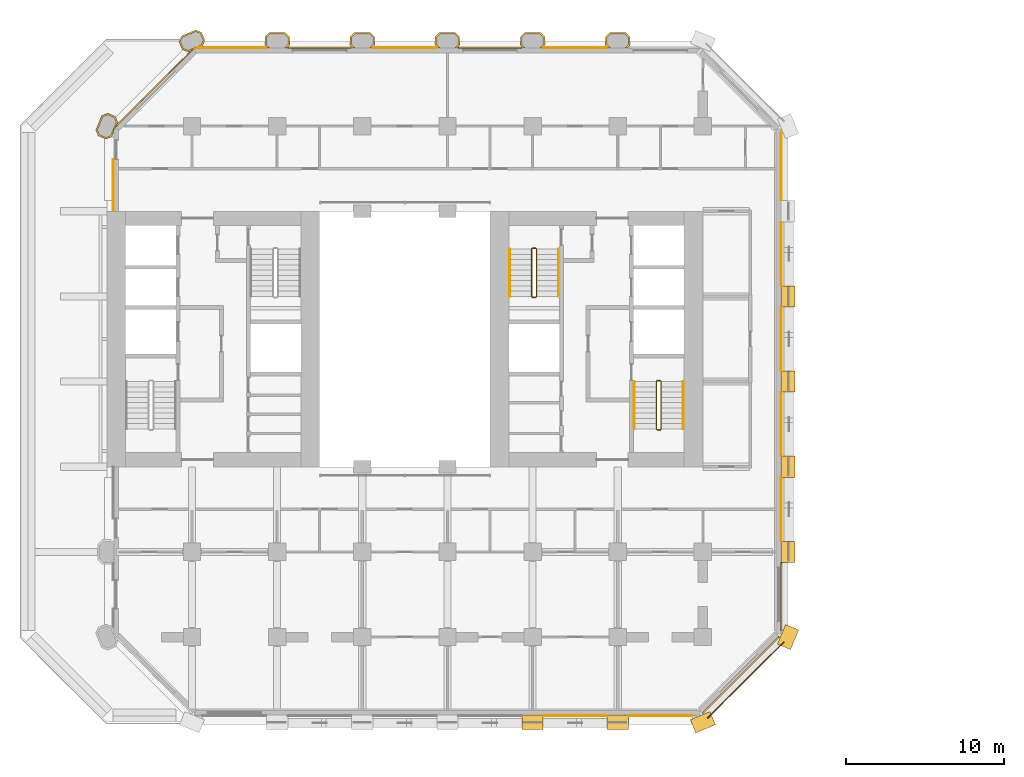
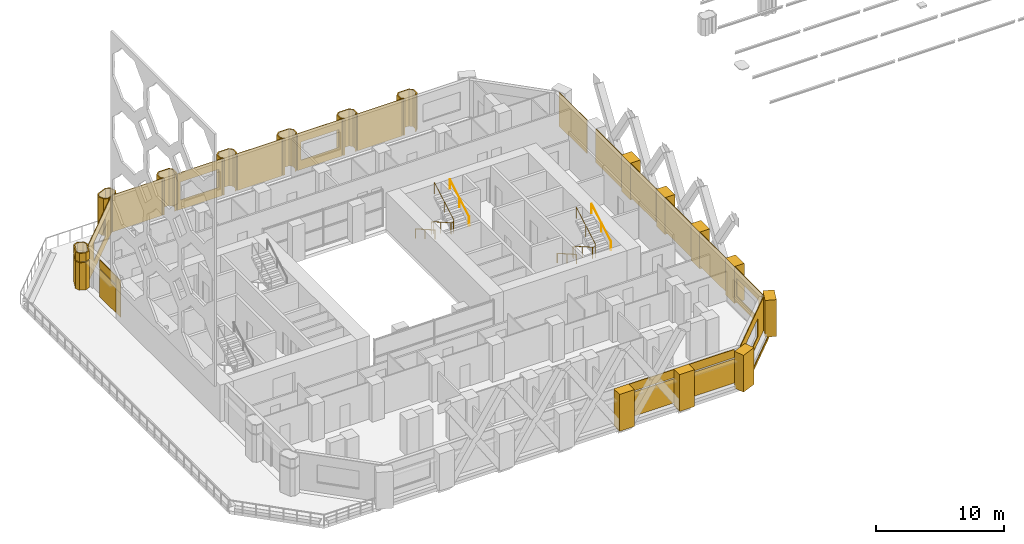
# One storey, part 13 of 14: 37 coverings, 6 railings.
"""IFC4 building model written with IfcOpenShell, lengths in metres."""

import ifcopenshell
import ifcopenshell.guid

model = None  # the IFC model being written
_history = None  # IfcOwnerHistory: only IFC2X3 demands one
_inside = {}  # id of a spatial element -> (the spatial element, [elements in it])
_under = {}  # id of a project, library or spatial element -> (it, [spatial elements below it])
_declared = {}  # id of a project -> (the project, [libraries it declares])
_typed = {}  # id of a type object -> (the type object, [elements of that type])
_made_of = {}  # id of a material, layer set ... -> (it, [elements and type objects made of it])


def new_model(schema):
    """Start an empty IFC model of exactly this schema.

    Asked for "IFC4X3", IfcOpenShell would pick the latest addendum, in which some entities
    have other attributes; the version numbers below select the first issue.
    IFC2X3 requires an IfcOwnerHistory on every rooted entity: one is made here for all.
    """
    global model, _history
    if schema == "IFC4X3":
        model = ifcopenshell.file(schema_version=(4, 3, 0, 0))
    else:
        model = ifcopenshell.file(schema=schema)
    _inside.clear()
    _under.clear()
    _declared.clear()
    _typed.clear()
    _made_of.clear()
    _history = None
    if model.schema == "IFC2X3":
        org = make("IfcOrganization", Name="unknown")
        user = make(
            "IfcPersonAndOrganization",
            ThePerson=make("IfcPerson", FamilyName="unknown"),
            TheOrganization=org,
        )
        app = make(
            "IfcApplication",
            ApplicationDeveloper=org,
            Version="unknown",
            ApplicationFullName="unknown",
            ApplicationIdentifier="unknown",
        )
        _history = make(
            "IfcOwnerHistory",
            OwningUser=user,
            OwningApplication=app,
            ChangeAction="ADDED",
            CreationDate=0,
        )
    return model


def make(cls, **values):
    """One entity of the class cls with the attributes given. An attribute that is None is left unset."""
    return model.create_entity(
        cls, **{name: value for name, value in values.items() if value is not None}
    )


def rooted(cls, **values):
    """An entity with a GlobalId (a new one), such as an element, a storey or a relation."""
    return make(cls, GlobalId=ifcopenshell.guid.new(), OwnerHistory=_history, **values)


def si_unit(unit_type, name, prefix=None):
    """IfcSIUnit, for example si_unit("LENGTHUNIT", "METRE", prefix="MILLI")."""
    return make("IfcSIUnit", UnitType=unit_type, Prefix=prefix, Name=name)


def assignment(units):
    """IfcUnitAssignment: the units of a project."""
    return None if units is None else make("IfcUnitAssignment", Units=units)


def point(xyz):
    """IfcCartesianPoint."""
    return None if xyz is None else make("IfcCartesianPoint", Coordinates=xyz)


def direction(xyz):
    """IfcDirection."""
    return None if xyz is None else make("IfcDirection", DirectionRatios=xyz)


def frame(location, z_axis=None, x_axis=None):
    """IfcAxis2Placement3D, a coordinate frame: its origin and axes. An axis left out is left unset."""
    return make(
        "IfcAxis2Placement3D",
        Location=point(location),
        Axis=direction(z_axis),
        RefDirection=direction(x_axis),
    )


def frame_2d(location, x_axis=None):
    """IfcAxis2Placement2D, a coordinate frame in the plane: its origin and x axis."""
    return make(
        "IfcAxis2Placement2D", Location=point(location), RefDirection=direction(x_axis)
    )


def origin():
    """The frame at (0, 0, 0) with its axes left unset."""
    return frame((0.0, 0.0, 0.0))


def origin_2d():
    """The frame at (0, 0) in the plane with its x axis left unset."""
    return frame_2d((0.0, 0.0))


def place(relative_to, where):
    """IfcLocalPlacement: puts the frame where relative to a parent placement (None: the world)."""
    return make(
        "IfcLocalPlacement", PlacementRelTo=relative_to, RelativePlacement=where
    )


def context(
    kind, dimensions, precision=None, world=None, true_north=None, identifier=None
):
    """IfcGeometricRepresentationContext, for example the 3D "Model" context."""
    return make(
        "IfcGeometricRepresentationContext",
        ContextIdentifier=identifier,
        ContextType=kind,
        CoordinateSpaceDimension=dimensions,
        Precision=precision,
        WorldCoordinateSystem=world,
        TrueNorth=true_north,
    )


def subcontext(parent, identifier, kind, view, scale=None):
    """IfcGeometricRepresentationSubContext, for example "Body" below "Model"."""
    return make(
        "IfcGeometricRepresentationSubContext",
        ContextIdentifier=identifier,
        ContextType=kind,
        ParentContext=parent,
        TargetScale=scale,
        TargetView=view,
    )


def project(units=None, contexts=None):
    """IfcProject with its units and contexts."""
    return rooted(
        "IfcProject",
        Name="project",
        RepresentationContexts=contexts,
        UnitsInContext=assignment(units),
    )


def spatial(cls, under=None, at=None, **own):
    """A site, building, storey or space (cls), placed at a placement, below another one or the project."""
    s = rooted(cls, ObjectPlacement=at, **own)
    if under is not None:
        _under.setdefault(under.id(), (under, []))[1].append(s)
    return s


def polyline(points):
    """IfcPolyline through the points."""
    return make("IfcPolyline", Points=[point(p) for p in points])


def profile(cls, at=None, kind="AREA", **sizes):
    """A parametric profile (cls). Its sizes go by their IFC names, for example OverallWidth=200.0."""
    return make(cls, ProfileType=kind, Position=at, **sizes)


def rectangle(**sizes):
    """IfcRectangleProfileDef."""
    return profile("IfcRectangleProfileDef", **sizes)


def circle(**sizes):
    """IfcCircleProfileDef."""
    return profile("IfcCircleProfileDef", **sizes)


def outline(outer, holes=None, kind="AREA"):
    """IfcArbitraryClosedProfileDef: a profile drawn as a closed curve; with holes, ...WithVoids."""
    if holes is None:
        return make("IfcArbitraryClosedProfileDef", ProfileType=kind, OuterCurve=outer)
    return make(
        "IfcArbitraryProfileDefWithVoids",
        ProfileType=kind,
        OuterCurve=outer,
        InnerCurves=holes,
    )


def extrude(swept, where, along, depth):
    """IfcExtrudedAreaSolid: the profile swept, set in the frame where, extruded along a direction by depth."""
    return make(
        "IfcExtrudedAreaSolid",
        SweptArea=swept,
        Position=where,
        ExtrudedDirection=direction(along),
        Depth=depth,
    )


def shape(context_of_items, identifier, shape_type, items):
    """IfcShapeRepresentation: the items that make up one representation, for example the "Body"."""
    return make(
        "IfcShapeRepresentation",
        ContextOfItems=context_of_items,
        RepresentationIdentifier=identifier,
        RepresentationType=shape_type,
        Items=items,
    )


def material(Name=None, Category=None):
    """IfcMaterial."""
    return make("IfcMaterial", Name=Name, Category=Category)


def layer(
    of_material, thickness, ventilated=None, Name=None, Category=None, Priority=None
):
    """IfcMaterialLayer: one layer of a wall or slab, of a material (None: an air gap)."""
    return make(
        "IfcMaterialLayer",
        Material=of_material,
        LayerThickness=thickness,
        IsVentilated=ventilated,
        Name=Name,
        Category=Category,
        Priority=Priority,
    )


def layer_set(layers, Name=None):
    """IfcMaterialLayerSet."""
    return make("IfcMaterialLayerSet", MaterialLayers=layers, LayerSetName=Name)


def made_of(thing, what):
    """Note that an element or type object is made of a material, layer set ...; save() writes the relation."""
    if what is not None:
        _made_of.setdefault(what.id(), (what, []))[1].append(thing)
    return thing


def type_object(cls, material=None, **own):
    """A type object (cls), such as IfcWallType, which elements share."""
    return made_of(rooted(cls, **own), material)


def element(
    cls,
    number,
    at=None,
    inside=None,
    cuts=None,
    type_object=None,
    material=None,
    context=None,
    identifier="Body",
    shape_type=None,
    held_by="IfcProductDefinitionShape",
    body=None,
    shapes=None,
    **own,
):
    """One element of the class cls, such as IfcWall. Its Tag is "e" and its number.

    at: its placement. inside: the storey or other place that contains it. cuts: it is an
    opening in that element (IfcRelVoidsElement). A single representation is given by context,
    identifier, shape_type and body (its items); several are given by shapes. held_by: the class
    of the entity that holds the representations. save() writes the other relations.
    """
    e = rooted(cls, Tag="e%d" % number, ObjectPlacement=at, **own)
    if body is not None:
        shapes = [shape(context, identifier, shape_type, body)]
    if shapes is not None:
        e.Representation = make(held_by, Representations=shapes)
    if inside is not None:
        _inside.setdefault(inside.id(), (inside, []))[1].append(e)
    if cuts is not None:
        rooted(
            "IfcRelVoidsElement", RelatingBuildingElement=cuts, RelatedOpeningElement=e
        )
    if type_object is not None:
        _typed.setdefault(type_object.id(), (type_object, []))[1].append(e)
    return made_of(e, material)


def aggregate(whole, parts):
    """IfcRelAggregates: a whole, such as a stair, and the parts it consists of."""
    return rooted("IfcRelAggregates", RelatingObject=whole, RelatedObjects=parts)


def save(model, path):
    """Write the relations noted so far, then the file.

    IfcRelAggregates (storeys below a building ...), IfcRelContainedInSpatialStructure (elements
    in a storey), IfcRelDefinesByType, IfcRelAssociatesMaterial and IfcRelDeclares: one each for
    every whole, place, type object, material and project.
    """
    for whole, parts in _under.values():
        aggregate(whole, parts)
    for where, things in _inside.values():
        rooted(
            "IfcRelContainedInSpatialStructure",
            RelatedElements=things,
            RelatingStructure=where,
        )
    for kind, things in _typed.values():
        rooted("IfcRelDefinesByType", RelatedObjects=things, RelatingType=kind)
    for what, things in _made_of.values():
        rooted("IfcRelAssociatesMaterial", RelatedObjects=things, RelatingMaterial=what)
    for by, libraries in _declared.values():
        rooted("IfcRelDeclares", RelatingContext=by, RelatedDefinitions=libraries)
    model.write(path)


model = new_model("IFC4")

# Units and contexts
model_context = context("Model", 3, precision=1e-05, world=origin(), true_north=direction((0.0, 1.0)))
body_context = subcontext(model_context, "Body", "Model", "MODEL_VIEW")
ifc_project = project(units=[si_unit("LENGTHUNIT", "METRE"), si_unit("AREAUNIT", "SQUARE_METRE"), si_unit("VOLUMEUNIT", "CUBIC_METRE"), si_unit("PLANEANGLEUNIT", "RADIAN"), si_unit("MASSUNIT", "GRAM", prefix="KILO")], contexts=[model_context])

# Site, building, storey
site_placement = place(None, origin())
site = spatial("IfcSite", under=ifc_project, at=site_placement, CompositionType="ELEMENT")
building_placement = place(site_placement, origin())
building = spatial("IfcBuilding", under=site, at=building_placement, Name="Tabaq Tower and Sports Hall", CompositionType="ELEMENT")
storey_placement = place(building_placement, frame((0.0, 0.0, 33.60009765625)))
storey = spatial("IfcBuildingStorey", under=building, at=storey_placement, Name="L06", CompositionType="ELEMENT", Elevation=33.60009765625)

# Coverings
ifc_material_1 = material(Name="Precast concrete C60/75", Category="concrete")
ifc_layer_1 = layer(ifc_material_1, 0.10009765625)
ifc_layer_set_1 = layer_set([ifc_layer_1], Name="Column cladding 100")
covering_type_1 = type_object("IfcCoveringType", Name="Column cladding 100", PredefinedType="CLADDING", material=ifc_layer_set_1)
covering_1_placement = place(storey_placement, origin())
element("IfcCovering", 1, at=covering_1_placement, inside=storey, type_object=covering_type_1, Name="Column cladding L06 PC-2H-O1", PredefinedType="CLADDING", context=body_context, shape_type="SweptSolid", body=[
    extrude(outline(polyline([(4.857421875, 37.186279296875), (4.7041015625, 37.556396484375), (5.080078125, 38.46435546875), (5.450439453125, 38.61767578125), (5.9423828125, 38.413818359375), (6.095947265625, 38.04345703125), (6.026123046875, 37.875), (5.9501953125, 37.799072265625), (5.9814453125, 37.767578125), (5.91796875, 37.614013671875), (5.849609375, 37.614013671875), (5.849609375, 37.44921875), (5.7197265625, 37.1357421875), (5.349609375, 36.982421875), (4.857421875, 37.186279296875)]), holes=[polyline([(5.866455078125, 38.337646484375), (5.450439453125, 38.510009765625), (5.15625, 38.38818359375), (4.811767578125, 37.556396484375), (4.93359375, 37.26220703125), (5.349609375, 37.08984375), (5.643798828125, 37.2119140625), (5.98828125, 38.04345703125), (5.866455078125, 38.337646484375)])]), origin(), (0.0, 0.0, 1.0), 2.599853515625),
])
covering_2_placement = place(storey_placement, frame((0.0, 0.0, 2.699951171875)))
element("IfcCovering", 2, at=covering_2_placement, inside=storey, type_object=covering_type_1, Name="Column cladding L06 PC-2H-O1 2", PredefinedType="CLADDING", context=body_context, shape_type="SweptSolid", body=[
    extrude(outline(polyline([(4.857421875, 37.186279296875), (4.7041015625, 37.556396484375), (5.080078125, 38.46435546875), (5.450439453125, 38.61767578125), (5.9423828125, 38.413818359375), (6.095947265625, 38.04345703125), (6.026123046875, 37.875), (5.9501953125, 37.799072265625), (5.9814453125, 37.767578125), (5.91796875, 37.614013671875), (5.849609375, 37.614013671875), (5.849609375, 37.44921875), (5.7197265625, 37.1357421875), (5.349609375, 36.982421875), (4.857421875, 37.186279296875)]), holes=[polyline([(5.866455078125, 38.337646484375), (5.450439453125, 38.510009765625), (5.15625, 38.38818359375), (4.811767578125, 37.556396484375), (4.93359375, 37.26220703125), (5.349609375, 37.08984375), (5.643798828125, 37.2119140625), (5.98828125, 38.04345703125), (5.866455078125, 38.337646484375)])]), origin(), (0.0, 0.0, 1.0), 0.800048828125),
])
covering_3_placement = place(storey_placement, origin())
element("IfcCovering", 3, at=covering_3_placement, inside=storey, type_object=covering_type_1, Name="Column cladding L06 PC-3I-O1", PredefinedType="CLADDING", context=body_context, shape_type="SweptSolid", body=[
    extrude(outline(polyline([(9.982421875, 43.149658203125), (10.019775390625, 43.23974609375), (10.127197265625, 43.23974609375), (10.08984375, 43.149658203125), (10.26220703125, 42.733642578125), (10.556396484375, 42.61181640625), (11.38818359375, 42.956298828125), (11.510009765625, 43.25048828125), (11.337646484375, 43.66650390625), (11.04345703125, 43.788330078125), (10.2119140625, 43.44384765625), (10.16064453125, 43.3203125), (10.052978515625, 43.3203125), (10.1357421875, 43.519775390625), (11.04345703125, 43.895751953125), (11.413818359375, 43.742431640625), (11.61767578125, 43.25048828125), (11.46435546875, 42.880126953125), (11.295654296875, 42.810302734375), (11.04296875, 42.810302734375), (11.04296875, 42.750244140625), (10.986083984375, 42.750244140625), (10.986083984375, 42.68212890625), (10.83251953125, 42.618408203125), (10.801025390625, 42.64990234375), (10.72509765625, 42.573974609375), (10.556396484375, 42.504150390625), (10.186279296875, 42.657470703125), (9.982421875, 43.149658203125)])), origin(), (0.0, 0.0, 1.0), 3.5),
])
covering_4_placement = place(storey_placement, origin())
element("IfcCovering", 4, at=covering_4_placement, inside=storey, type_object=covering_type_1, Name="Column cladding L06 PC-4I-O1", PredefinedType="CLADDING", context=body_context, shape_type="SweptSolid", body=[
    extrude(outline(polyline([(15.42529296875, 43.46630859375), (15.708740234375, 43.749755859375), (16.69140625, 43.749755859375), (16.974609375, 43.46630859375), (16.974609375, 42.93359375), (16.791259765625, 42.750244140625), (16.650634765625, 42.750244140625), (16.875244140625, 42.974853515625), (16.875244140625, 43.425048828125), (16.650146484375, 43.650390625), (15.749755859375, 43.650390625), (15.524658203125, 43.425048828125), (15.524658203125, 42.974853515625), (15.749267578125, 42.750244140625), (15.608642578125, 42.750244140625), (15.42529296875, 42.93359375), (15.42529296875, 43.46630859375)])), origin(), (0.0, 0.0, 1.0), 3.5),
])
covering_5_placement = place(storey_placement, origin())
element("IfcCovering", 5, at=covering_5_placement, inside=storey, type_object=covering_type_1, Name="Column cladding L06 PC-5I-O1", PredefinedType="CLADDING", context=body_context, shape_type="SweptSolid", body=[
    extrude(outline(polyline([(20.8251953125, 43.46630859375), (21.108642578125, 43.749755859375), (22.09130859375, 43.749755859375), (22.374755859375, 43.46630859375), (22.374755859375, 42.93359375), (22.19140625, 42.750244140625), (22.05078125, 42.750244140625), (22.275390625, 42.974853515625), (22.275390625, 43.425048828125), (22.050048828125, 43.650390625), (21.14990234375, 43.650390625), (20.9248046875, 43.425048828125), (20.9248046875, 42.974853515625), (21.149169921875, 42.750244140625), (21.0087890625, 42.750244140625), (20.8251953125, 42.93359375), (20.8251953125, 43.46630859375)])), origin(), (0.0, 0.0, 1.0), 3.5),
])
covering_6_placement = place(storey_placement, origin())
element("IfcCovering", 6, at=covering_6_placement, inside=storey, type_object=covering_type_1, Name="Column cladding L06 PC-6I-O1", PredefinedType="CLADDING", context=body_context, shape_type="SweptSolid", body=[
    extrude(outline(polyline([(26.225341796875, 43.46630859375), (26.5087890625, 43.749755859375), (27.4912109375, 43.749755859375), (27.774658203125, 43.46630859375), (27.774658203125, 42.93359375), (27.59130859375, 42.750244140625), (27.45068359375, 42.750244140625), (27.67529296875, 42.974853515625), (27.67529296875, 43.425048828125), (27.4501953125, 43.650390625), (26.5498046875, 43.650390625), (26.32470703125, 43.425048828125), (26.32470703125, 42.974853515625), (26.54931640625, 42.750244140625), (26.40869140625, 42.750244140625), (26.225341796875, 42.93359375), (26.225341796875, 43.46630859375)])), origin(), (0.0, 0.0, 1.0), 3.5),
])
covering_7_placement = place(storey_placement, origin())
element("IfcCovering", 7, at=covering_7_placement, inside=storey, type_object=covering_type_1, Name="Column cladding L06 PC-7I-O1", PredefinedType="CLADDING", context=body_context, shape_type="SweptSolid", body=[
    extrude(outline(polyline([(31.625244140625, 43.46630859375), (31.90869140625, 43.749755859375), (32.891357421875, 43.749755859375), (33.1748046875, 43.46630859375), (33.1748046875, 42.93359375), (32.9912109375, 42.750244140625), (32.850830078125, 42.750244140625), (33.0751953125, 42.974853515625), (33.0751953125, 43.425048828125), (32.85009765625, 43.650390625), (31.949951171875, 43.650390625), (31.724609375, 43.425048828125), (31.724609375, 42.974853515625), (31.94921875, 42.750244140625), (31.80859375, 42.750244140625), (31.625244140625, 42.93359375), (31.625244140625, 43.46630859375)])), origin(), (0.0, 0.0, 1.0), 3.5),
])
covering_8_placement = place(storey_placement, origin())
element("IfcCovering", 8, at=covering_8_placement, inside=storey, type_object=covering_type_1, Name="Column cladding L06 PC-8I-O1", PredefinedType="CLADDING", context=body_context, shape_type="SweptSolid", body=[
    extrude(outline(polyline([(37.025390625, 43.46630859375), (37.30859375, 43.749755859375), (38.291259765625, 43.749755859375), (38.57470703125, 43.46630859375), (38.57470703125, 42.93359375), (38.391357421875, 42.750244140625), (38.250732421875, 42.750244140625), (38.475341796875, 42.974853515625), (38.475341796875, 43.425048828125), (38.250244140625, 43.650390625), (37.349853515625, 43.650390625), (37.124755859375, 43.425048828125), (37.124755859375, 42.974853515625), (37.349365234375, 42.750244140625), (37.208740234375, 42.750244140625), (37.025390625, 42.93359375), (37.025390625, 43.46630859375)])), origin(), (0.0, 0.0, 1.0), 3.5),
])
ifc_material_2 = material(Name="Precast concrete C60/75", Category="concrete")
ifc_layer_2 = layer(ifc_material_2, 0.06005859375)
ifc_layer_set_2 = layer_set([ifc_layer_2], Name="Edge beam cladding 60")
covering_type_2 = type_object("IfcCoveringType", Name="Edge beam cladding 60", PredefinedType="CLADDING", material=ifc_layer_set_2)
covering_9_placement = place(storey_placement, frame((43.505615234375, 0.26318359375, -0.300048828125), z_axis=(0.0, 0.0, 1.0), x_axis=(0.707106781187, 0.707106781187, 0.0)))
element("IfcCovering", 9, at=covering_9_placement, inside=storey, type_object=covering_type_2, Name="Edge beam cladding L06 2", PredefinedType="CLADDING", context=body_context, shape_type="SweptSolid", body=[
    extrude(rectangle(XDim=6.83251953125, YDim=0.06005859375, at=frame_2d((3.416259765625, 0.0))), origin(), (0.0, 0.0, 1.0), 0.300048828125),
])
ifc_material_3 = material(Name="White precast concrete C60/75", Category="concrete")
covering_type_3 = type_object("IfcCoveringType", Name="Pier cladding hung 1350x900", PredefinedType="CLADDING", material=ifc_material_3)
covering_10_placement = place(storey_placement, frame((31.72509765625, 0.0, 0.0), z_axis=(0.0, 0.0, 1.0), x_axis=(1.0, 0.0, 0.0)))
element("IfcCovering", 10, at=covering_10_placement, inside=storey, type_object=covering_type_3, Name="Hung pier cladding 6/0", PredefinedType="CLADDING", context=body_context, shape_type="SweptSolid", body=[
    extrude(rectangle(XDim=1.349853515625, YDim=0.89990234375, at=frame_2d((0.6748046875, 0.0))), origin(), (0.0, 0.0, 1.0), 3.5),
])
for number, where, z_axis, x_axis, name in (
    (11, (37.125, 0.0, 0.0), (0.0, 0.0, 1.0), (1.0, 0.0, 0.0), "Hung pier cladding 7/0"),
    (12, (42.576416015625, -0.25830078125, 0.0), (0.0, 0.0, 1.0), (0.923893411637, 0.382649923473, 0.0), "Hung pier cladding 8/0"),
    (13, (48.341796875, 4.7763671875, 0.0), (0.0, 0.0, 1.0), (0.382649923473, 0.923893411637, 0.0), "Hung pier cladding 9/1"),
    (14, (48.60009765625, 10.125, 0.0), (0.0, 0.0, 1.0), (0.0, 1.0, 0.0), "Hung pier cladding 9/2"),
    (15, (48.60009765625, 15.52490234375, 0.0), (0.0, 0.0, 1.0), (0.0, 1.0, 0.0), "Hung pier cladding 9/3"),
):
    element("IfcCovering", number, at=place(storey_placement, frame(where, z_axis=z_axis, x_axis=x_axis)), inside=storey, type_object=covering_type_3, Name=name, PredefinedType="CLADDING", context=body_context, shape_type="SweptSolid", body=[
        extrude(rectangle(XDim=1.35009765625, YDim=0.89990234375, at=frame_2d((0.675048828125, 0.0))), origin(), (0.0, 0.0, 1.0), 3.5),
    ])
covering_11_placement = place(storey_placement, frame((48.60009765625, 20.925048828125, 0.0), z_axis=(0.0, 0.0, 1.0), x_axis=(0.0, 1.0, 0.0)))
element("IfcCovering", 16, at=covering_11_placement, inside=storey, type_object=covering_type_3, Name="Hung pier cladding 9/4", PredefinedType="CLADDING", context=body_context, shape_type="SweptSolid", body=[
    extrude(rectangle(XDim=1.349853515625, YDim=0.89990234375, at=frame_2d((0.6748046875, 0.0))), origin(), (0.0, 0.0, 1.0), 3.5),
])
covering_12_placement = place(storey_placement, frame((48.60009765625, 26.324951171875, 0.0), z_axis=(0.0, 0.0, 1.0), x_axis=(0.0, 1.0, 0.0)))
element("IfcCovering", 17, at=covering_12_placement, inside=storey, type_object=covering_type_3, Name="Hung pier cladding 9/5", PredefinedType="CLADDING", context=body_context, shape_type="SweptSolid", body=[
    extrude(rectangle(XDim=1.35009765625, YDim=0.89990234375, at=frame_2d((0.675048828125, 0.0))), origin(), (0.0, 0.0, 1.0), 3.5),
])

# Railings
ifc_material_4 = material(Name="Stainless steel", Category="steel")
railing_type_1 = type_object("IfcRailingType", Name="Stair guard", PredefinedType="GUARDRAIL", material=ifc_material_4)
railing_1_placement = place(storey_placement, frame((40.5, 21.64990234375, 0.0)))
element("IfcRailing", 18, at=railing_1_placement, inside=storey, type_object=railing_type_1, Name="L06 ST3 stair guard 1", PredefinedType="GUARDRAIL", context=body_context, shape_type="SweptSolid", body=[
    extrude(circle(Radius=0.02392578125, at=origin_2d()), frame((0.0, 0.0, 1.076171875), z_axis=(-1.0, 0.0, 0.0), x_axis=(0.0, -1.0, 0.0)), (0.0, 0.0, 1.0), 0.199951171875),
    extrude(circle(Radius=0.02392578125, at=origin_2d()), frame((-0.199951171875, 0.0, 1.076171875), z_axis=(-0.246983470365, -0.245778672949, 0.937332389972), x_axis=(0.705375805398, -0.708833529934, 0.0)), (0.0, 0.0, 1.0), 0.20263671875),
    extrude(circle(Radius=0.02392578125, at=origin_2d()), frame((-0.25, -0.0498046875, 1.26611328125), z_axis=(0.0, -0.868782136927, 0.495194505781), x_axis=(1.0, 0.0, 0.0)), (0.0, 0.0, 1.0), 3.453125),
    extrude(circle(Radius=0.02392578125, at=origin_2d()), frame((-0.25, -3.0498046875, 2.97607421875), z_axis=(0.707106781187, -0.707106781187, 0.0), x_axis=(0.707106781187, 0.707106781187, 0.0)), (0.0, 0.0, 1.0), 0.07080078125),
    extrude(circle(Radius=0.02392578125, at=origin_2d()), frame((-0.199951171875, -3.099853515625, 2.97607421875), z_axis=(1.0, 0.0, 0.0), x_axis=(0.0, 1.0, 0.0)), (0.0, 0.0, 1.0), 0.199951171875),
    extrude(circle(Radius=0.02392578125, at=origin_2d()), frame((0.0, -3.099853515625, 2.97607421875), z_axis=(0.246910188598, 0.246910188598, 0.937054276727), x_axis=(-0.707106781187, 0.707106781187, 0.0)), (0.0, 0.0, 1.0), 0.20263671875),
    extrude(circle(Radius=0.02392578125, at=origin_2d()), frame((0.050048828125, -3.0498046875, 3.166015625), z_axis=(0.0, 0.868782136927, 0.495194505781), x_axis=(-1.0, 0.0, 0.0)), (0.0, 0.0, 1.0), 3.453125),
    extrude(circle(Radius=0.02099609375, at=origin_2d()), origin(), (0.0, 0.0, 1.0), 1.052001953125),
    extrude(circle(Radius=0.02099609375, at=origin_2d()), frame((-0.199951171875, 0.0, 0.0)), (0.0, 0.0, 1.0), 1.052001953125),
    extrude(circle(Radius=0.02099609375, at=origin_2d()), frame((-0.25, -0.0498046875, 0.18994140625)), (0.0, 0.0, 1.0), 1.052001953125),
    extrude(circle(Radius=0.02099609375, at=origin_2d()), frame((-0.25, -1.5498046875, 1.044921875)), (0.0, 0.0, 1.0), 1.052001953125),
    extrude(circle(Radius=0.02099609375, at=origin_2d()), frame((-0.25, -3.0498046875, 1.89990234375)), (0.0, 0.0, 1.0), 1.052001953125),
    extrude(circle(Radius=0.02099609375, at=origin_2d()), frame((-0.199951171875, -3.099853515625, 1.89990234375)), (0.0, 0.0, 1.0), 1.052001953125),
    extrude(circle(Radius=0.02099609375, at=origin_2d()), frame((0.0, -3.099853515625, 1.89990234375)), (0.0, 0.0, 1.0), 1.052001953125),
    extrude(circle(Radius=0.02099609375, at=origin_2d()), frame((0.050048828125, -3.0498046875, 2.08984375)), (0.0, 0.0, 1.0), 1.052001953125),
    extrude(circle(Radius=0.02099609375, at=origin_2d()), frame((0.050048828125, -1.5498046875, 2.94482421875)), (0.0, 0.0, 1.0), 1.052001953125),
    extrude(circle(Radius=0.02099609375, at=origin_2d()), frame((0.050048828125, -0.0498046875, 3.7998046875)), (0.0, 0.0, 1.0), 1.052001953125),
])
railing_2_placement = place(storey_placement, frame((32.60009765625, 30.050048828125, 0.0)))
element("IfcRailing", 19, at=railing_2_placement, inside=storey, type_object=railing_type_1, Name="L06 ST4 stair guard 1", PredefinedType="GUARDRAIL", context=body_context, shape_type="SweptSolid", body=[
    extrude(circle(Radius=0.02392578125, at=origin_2d()), frame((0.0, 0.0, 1.076171875), z_axis=(-1.0, 0.0, 0.0), x_axis=(0.0, -1.0, 0.0)), (0.0, 0.0, 1.0), 0.2001953125),
    extrude(circle(Radius=0.02392578125, at=origin_2d()), frame((-0.2001953125, 0.0, 1.076171875), z_axis=(-0.245778672949, -0.246983470365, 0.937332389972), x_axis=(0.708833529934, -0.705375805398, 0.0)), (0.0, 0.0, 1.0), 0.20263671875),
    extrude(circle(Radius=0.02392578125, at=origin_2d()), frame((-0.25, -0.050048828125, 1.26611328125), z_axis=(0.0, -0.868782136927, 0.495194505781), x_axis=(1.0, 0.0, 0.0)), (0.0, 0.0, 1.0), 3.453125),
    extrude(circle(Radius=0.02392578125, at=origin_2d()), frame((-0.25, -3.050048828125, 2.97607421875), z_axis=(0.705375805398, -0.708833529934, 0.0), x_axis=(0.708833529934, 0.705375805398, 0.0)), (0.0, 0.0, 1.0), 0.070556640625),
    extrude(circle(Radius=0.02392578125, at=origin_2d()), frame((-0.2001953125, -3.10009765625, 2.97607421875), z_axis=(1.0, 0.0, 0.0), x_axis=(0.0, 1.0, 0.0)), (0.0, 0.0, 1.0), 0.2001953125),
    extrude(circle(Radius=0.02392578125, at=origin_2d()), frame((0.0, -3.10009765625, 2.97607421875), z_axis=(0.245778672949, 0.246983470365, 0.937332389972), x_axis=(-0.708833529934, 0.705375805398, 0.0)), (0.0, 0.0, 1.0), 0.20263671875),
    extrude(circle(Radius=0.02392578125, at=origin_2d()), frame((0.0498046875, -3.050048828125, 3.166015625), z_axis=(0.0, 0.868782136927, 0.495194505781), x_axis=(-1.0, 0.0, 0.0)), (0.0, 0.0, 1.0), 3.453125),
    extrude(circle(Radius=0.02099609375, at=origin_2d()), origin(), (0.0, 0.0, 1.0), 1.052001953125),
    extrude(circle(Radius=0.02099609375, at=origin_2d()), frame((-0.2001953125, 0.0, 0.0)), (0.0, 0.0, 1.0), 1.052001953125),
    extrude(circle(Radius=0.02099609375, at=origin_2d()), frame((-0.25, -0.050048828125, 0.18994140625)), (0.0, 0.0, 1.0), 1.052001953125),
    extrude(circle(Radius=0.02099609375, at=origin_2d()), frame((-0.25, -1.550048828125, 1.044921875)), (0.0, 0.0, 1.0), 1.052001953125),
    extrude(circle(Radius=0.02099609375, at=origin_2d()), frame((-0.25, -3.050048828125, 1.89990234375)), (0.0, 0.0, 1.0), 1.052001953125),
    extrude(circle(Radius=0.02099609375, at=origin_2d()), frame((-0.2001953125, -3.10009765625, 1.89990234375)), (0.0, 0.0, 1.0), 1.052001953125),
    extrude(circle(Radius=0.02099609375, at=origin_2d()), frame((0.0, -3.10009765625, 1.89990234375)), (0.0, 0.0, 1.0), 1.052001953125),
    extrude(circle(Radius=0.02099609375, at=origin_2d()), frame((0.0498046875, -3.050048828125, 2.08984375)), (0.0, 0.0, 1.0), 1.052001953125),
    extrude(circle(Radius=0.02099609375, at=origin_2d()), frame((0.0498046875, -1.550048828125, 2.94482421875)), (0.0, 0.0, 1.0), 1.052001953125),
    extrude(circle(Radius=0.02099609375, at=origin_2d()), frame((0.0498046875, -0.050048828125, 3.7998046875)), (0.0, 0.0, 1.0), 1.052001953125),
])
ifc_material_5 = material(Name="Stainless steel", Category="steel")
railing_type_2 = type_object("IfcRailingType", Name="Stair handrail", PredefinedType="HANDRAIL", material=ifc_material_5)
railing_3_placement = place(storey_placement, frame((38.85009765625, 21.60009765625, 0.18994140625)))
element("IfcRailing", 20, at=railing_3_placement, inside=storey, type_object=railing_type_2, Name="L06 ST3 stair handrail 1", PredefinedType="HANDRAIL", context=body_context, shape_type="SweptSolid", body=[
    extrude(circle(Radius=0.02392578125, at=origin_2d()), frame((0.0, 0.0, 0.8759765625), z_axis=(0.0, -0.868782136927, 0.495194505781), x_axis=(1.0, 0.0, 0.0)), (0.0, 0.0, 1.0), 3.453125),
    extrude(circle(Radius=0.02099609375, at=origin_2d()), origin(), (0.0, 0.0, 1.0), 0.851806640625),
    extrude(circle(Radius=0.02099609375, at=origin_2d()), frame((0.0, -1.5, 0.85498046875)), (0.0, 0.0, 1.0), 0.851806640625),
    extrude(circle(Radius=0.02099609375, at=origin_2d()), frame((0.0, -3.0, 1.7099609375)), (0.0, 0.0, 1.0), 0.851806640625),
])
railing_4_placement = place(storey_placement, frame((41.949951171875, 18.60009765625, 2.08984375)))
element("IfcRailing", 21, at=railing_4_placement, inside=storey, type_object=railing_type_2, Name="L06 ST3 stair handrail 2", PredefinedType="HANDRAIL", context=body_context, shape_type="SweptSolid", body=[
    extrude(circle(Radius=0.02392578125, at=origin_2d()), frame((0.0, 0.0, 0.8759765625), z_axis=(0.0, 0.868782136927, 0.495194505781), x_axis=(-1.0, 0.0, 0.0)), (0.0, 0.0, 1.0), 3.453125),
    extrude(circle(Radius=0.02099609375, at=origin_2d()), origin(), (0.0, 0.0, 1.0), 0.851806640625),
    extrude(circle(Radius=0.02099609375, at=origin_2d()), frame((0.0, 1.5, 0.85498046875)), (0.0, 0.0, 1.0), 0.851806640625),
    extrude(circle(Radius=0.02099609375, at=origin_2d()), frame((0.0, 3.0, 1.7099609375)), (0.0, 0.0, 1.0), 0.851806640625),
])
railing_5_placement = place(storey_placement, frame((30.949951171875, 30.0, 0.18994140625)))
element("IfcRailing", 22, at=railing_5_placement, inside=storey, type_object=railing_type_2, Name="L06 ST4 stair handrail 1", PredefinedType="HANDRAIL", context=body_context, shape_type="SweptSolid", body=[
    extrude(circle(Radius=0.02392578125, at=origin_2d()), frame((0.0, 0.0, 0.8759765625), z_axis=(0.0, -0.868782136927, 0.495194505781), x_axis=(1.0, 0.0, 0.0)), (0.0, 0.0, 1.0), 3.453125),
    extrude(circle(Radius=0.02099609375, at=origin_2d()), origin(), (0.0, 0.0, 1.0), 0.851806640625),
    extrude(circle(Radius=0.02099609375, at=origin_2d()), frame((0.0, -1.5, 0.85498046875)), (0.0, 0.0, 1.0), 0.851806640625),
    extrude(circle(Radius=0.02099609375, at=origin_2d()), frame((0.0, -3.0, 1.7099609375)), (0.0, 0.0, 1.0), 0.851806640625),
])
railing_6_placement = place(storey_placement, frame((34.050048828125, 27.0, 2.08984375)))
element("IfcRailing", 23, at=railing_6_placement, inside=storey, type_object=railing_type_2, Name="L06 ST4 stair handrail 2", PredefinedType="HANDRAIL", context=body_context, shape_type="SweptSolid", body=[
    extrude(circle(Radius=0.02392578125, at=origin_2d()), frame((0.0, 0.0, 0.8759765625), z_axis=(0.0, 0.868782136927, 0.495194505781), x_axis=(-1.0, 0.0, 0.0)), (0.0, 0.0, 1.0), 3.453125),
    extrude(circle(Radius=0.02099609375, at=origin_2d()), origin(), (0.0, 0.0, 1.0), 0.851806640625),
    extrude(circle(Radius=0.02099609375, at=origin_2d()), frame((0.0, 1.5, 0.85498046875)), (0.0, 0.0, 1.0), 0.851806640625),
    extrude(circle(Radius=0.02099609375, at=origin_2d()), frame((0.0, 3.0, 1.7099609375)), (0.0, 0.0, 1.0), 0.851806640625),
])

# Coverings
ifc_material_6 = material(Name="Precast concrete C60/75", Category="concrete")
ifc_layer_3 = layer(ifc_material_6, 0.06005859375)
ifc_layer_set_3 = layer_set([ifc_layer_3], Name="White precast cladding panel 60 C60/75")
covering_type_4 = type_object("IfcCoveringType", Name="White precast cladding panel 60 C60/75", PredefinedType="CLADDING", material=ifc_layer_set_3)
covering_13_placement = place(storey_placement, frame((33.0849609375, 0.419921875, 0.309814453125), z_axis=(0.0, 0.0, 1.0), x_axis=(1.0, 0.0, 0.0)))
element("IfcCovering", 24, at=covering_13_placement, inside=storey, type_object=covering_type_4, Name="White precast cladding panel L06 wall00 9", PredefinedType="CLADDING", context=body_context, shape_type="SweptSolid", body=[
    extrude(rectangle(XDim=4.030029296875, YDim=0.06005859375, at=frame_2d((2.01513671875, 0.0))), origin(), (0.0, 0.0, 1.0), 2.280029296875),
])
covering_14_placement = place(storey_placement, frame((33.0849609375, 0.419921875, 2.7099609375), z_axis=(0.0, 0.0, 1.0), x_axis=(1.0, 0.0, 0.0)))
element("IfcCovering", 25, at=covering_14_placement, inside=storey, type_object=covering_type_4, Name="White precast cladding panel L06 wall00 10", PredefinedType="CLADDING", context=body_context, shape_type="SweptSolid", body=[
    extrude(rectangle(XDim=4.030029296875, YDim=0.06005859375, at=frame_2d((2.01513671875, 0.0))), origin(), (0.0, 0.0, 1.0), 0.7900390625),
])
covering_15_placement = place(storey_placement, frame((38.485107421875, 0.419921875, 0.309814453125), z_axis=(0.0, 0.0, 1.0), x_axis=(1.0, 0.0, 0.0)))
element("IfcCovering", 26, at=covering_15_placement, inside=storey, type_object=covering_type_4, Name="White precast cladding panel L06 wall00 11", PredefinedType="CLADDING", context=body_context, shape_type="SweptSolid", body=[
    extrude(rectangle(XDim=4.0498046875, YDim=0.06005859375, at=frame_2d((2.02490234375, 0.0))), origin(), (0.0, 0.0, 1.0), 2.280029296875),
])
covering_16_placement = place(storey_placement, frame((38.485107421875, 0.419921875, 2.7099609375), z_axis=(0.0, 0.0, 1.0), x_axis=(1.0, 0.0, 0.0)))
element("IfcCovering", 27, at=covering_16_placement, inside=storey, type_object=covering_type_4, Name="White precast cladding panel L06 wall00 12", PredefinedType="CLADDING", context=body_context, shape_type="SweptSolid", body=[
    extrude(rectangle(XDim=4.0498046875, YDim=0.06005859375, at=frame_2d((2.02490234375, 0.0))), origin(), (0.0, 0.0, 1.0), 0.7900390625),
])
covering_17_placement = place(storey_placement, frame((43.18017578125, 0.57421875, 0.309814453125), z_axis=(0.0, 0.0, 1.0), x_axis=(0.70712459446, 0.707088967465, 0.0)))
element("IfcCovering", 28, at=covering_17_placement, inside=storey, type_object=covering_type_4, Name="White precast cladding panel L06 wall01", PredefinedType="CLADDING", context=body_context, shape_type="SweptSolid", body=[
    extrude(outline(polyline([(0.0, 0.0), (6.852783203125, 0.0), (6.852783203125, 3.190185546875), (0.0, 3.190185546875), (0.0, 0.0)]), holes=[polyline([(1.71630859375, 0.580078125), (1.71630859375, 2.300048828125), (5.13623046875, 2.300048828125), (5.13623046875, 0.580078125), (1.71630859375, 0.580078125)])]), frame((0.0, 0.030029296875, 0.0), z_axis=(0.0, -1.0, 0.0), x_axis=(1.0, 0.0, 0.0)), (0.0, 0.0, 1.0), 0.06005859375),
])
covering_18_placement = place(storey_placement, frame((48.179931640625, 5.7919921875, 0.309814453125), z_axis=(0.0, 0.0, 1.0), x_axis=(0.0, 1.0, 0.0)))
element("IfcCovering", 29, at=covering_18_placement, inside=storey, type_object=covering_type_4, Name="White precast cladding panel L06 wall02", PredefinedType="CLADDING", context=body_context, shape_type="SweptSolid", body=[
    extrude(outline(polyline([(0.0, 0.0), (4.322998046875, 0.0), (4.322998046875, 3.190185546875), (0.0, 3.190185546875), (0.0, 0.0)]), holes=[polyline([(0.597900390625, 0.580078125), (0.597900390625, 2.300048828125), (4.017822265625, 2.300048828125), (4.017822265625, 0.580078125), (0.597900390625, 0.580078125)])]), frame((0.0, 0.030029296875, 0.0), z_axis=(0.0, -1.0, 0.0), x_axis=(1.0, 0.0, 0.0)), (0.0, 0.0, 1.0), 0.06005859375),
])
covering_19_placement = place(storey_placement, frame((48.179931640625, 11.485107421875, 0.309814453125), z_axis=(0.0, 0.0, 1.0), x_axis=(0.0, 1.0, 0.0)))
element("IfcCovering", 30, at=covering_19_placement, inside=storey, type_object=covering_type_4, Name="White precast cladding panel L06 wall02 2", PredefinedType="CLADDING", context=body_context, shape_type="SweptSolid", body=[
    extrude(rectangle(XDim=4.02978515625, YDim=0.06005859375, at=frame_2d((2.014892578125, 0.0))), origin(), (0.0, 0.0, 1.0), 3.190185546875),
])
for number, where, z_axis, x_axis, name in (
    (31, (48.179931640625, 16.885009765625, 0.309814453125), (0.0, 0.0, 1.0), (0.0, 1.0, 0.0), "White precast cladding panel L06 wall02 3"),
    (32, (48.179931640625, 22.284912109375, 0.309814453125), (0.0, 0.0, 1.0), (0.0, 1.0, 0.0), "White precast cladding panel L06 wall02 4"),
    (33, (48.179931640625, 27.68505859375, 0.309814453125), (0.0, 0.0, 1.0), (0.0, 1.0, 0.0), "White precast cladding panel L06 wall02 5"),
):
    element("IfcCovering", number, at=place(storey_placement, frame(where, z_axis=z_axis, x_axis=x_axis)), inside=storey, type_object=covering_type_4, Name=name, PredefinedType="CLADDING", context=body_context, shape_type="SweptSolid", body=[
        extrude(rectangle(XDim=4.030029296875, YDim=0.06005859375, at=frame_2d((2.01513671875, 0.0))), origin(), (0.0, 0.0, 1.0), 3.190185546875),
    ])
covering_20_placement = place(storey_placement, frame((48.179931640625, 33.0849609375, 0.309814453125), z_axis=(0.0, 0.0, 1.0), x_axis=(0.0, 1.0, 0.0)))
element("IfcCovering", 34, at=covering_20_placement, inside=storey, type_object=covering_type_4, Name="White precast cladding panel L06 wall02 6", PredefinedType="CLADDING", context=body_context, shape_type="SweptSolid", body=[
    extrude(rectangle(XDim=4.322998046875, YDim=0.06005859375, at=frame_2d((2.16162109375, 0.0))), origin(), (0.0, 0.0, 1.0), 3.190185546875),
])
covering_21_placement = place(storey_placement, frame((37.114990234375, 42.780029296875, 0.0), z_axis=(0.0, 0.0, 1.0), x_axis=(-1.0, 0.0, 0.0)))
element("IfcCovering", 35, at=covering_21_placement, inside=storey, type_object=covering_type_4, Name="White precast cladding panel L06 wall04 2", PredefinedType="CLADDING", context=body_context, shape_type="SweptSolid", body=[
    extrude(rectangle(XDim=4.030029296875, YDim=0.06005859375, at=frame_2d((2.01513671875, 0.0))), origin(), (0.0, 0.0, 1.0), 3.5),
])
covering_22_placement = place(storey_placement, frame((31.715087890625, 42.780029296875, 0.0), z_axis=(0.0, 0.0, 1.0), x_axis=(-1.0, 0.0, 0.0)))
element("IfcCovering", 36, at=covering_22_placement, inside=storey, type_object=covering_type_4, Name="White precast cladding panel L06 wall04 3", PredefinedType="CLADDING", context=body_context, shape_type="SweptSolid", body=[
    extrude(outline(polyline([(0.0, 0.0), (4.030029296875, 0.0), (4.030029296875, 3.5), (0.0, 3.5), (0.0, 0.0)]), holes=[polyline([(0.304931640625, 0.889892578125), (0.304931640625, 2.60986328125), (3.72509765625, 2.60986328125), (3.72509765625, 0.889892578125), (0.304931640625, 0.889892578125)])]), frame((0.0, 0.030029296875, 0.0), z_axis=(0.0, -1.0, 0.0), x_axis=(1.0, 0.0, 0.0)), (0.0, 0.0, 1.0), 0.06005859375),
])
covering_23_placement = place(storey_placement, frame((26.31494140625, 42.780029296875, 0.0), z_axis=(0.0, 0.0, 1.0), x_axis=(-1.0, 0.0, 0.0)))
element("IfcCovering", 37, at=covering_23_placement, inside=storey, type_object=covering_type_4, Name="White precast cladding panel L06 wall04 4", PredefinedType="CLADDING", context=body_context, shape_type="SweptSolid", body=[
    extrude(rectangle(XDim=4.030029296875, YDim=0.06005859375, at=frame_2d((2.01513671875, 0.0))), origin(), (0.0, 0.0, 1.0), 3.5),
])
covering_24_placement = place(storey_placement, frame((20.9150390625, 42.780029296875, 0.0), z_axis=(0.0, 0.0, 1.0), x_axis=(-1.0, 0.0, 0.0)))
element("IfcCovering", 38, at=covering_24_placement, inside=storey, type_object=covering_type_4, Name="White precast cladding panel L06 wall04 5", PredefinedType="CLADDING", context=body_context, shape_type="SweptSolid", body=[
    extrude(outline(polyline([(0.0, 0.0), (4.030029296875, 0.0), (4.030029296875, 3.5), (0.0, 3.5), (0.0, 0.0)]), holes=[polyline([(0.304931640625, 0.889892578125), (0.304931640625, 2.60986328125), (3.72509765625, 2.60986328125), (3.72509765625, 0.889892578125), (0.304931640625, 0.889892578125)])]), frame((0.0, 0.030029296875, 0.0), z_axis=(0.0, -1.0, 0.0), x_axis=(1.0, 0.0, 0.0)), (0.0, 0.0, 1.0), 0.06005859375),
])
covering_25_placement = place(storey_placement, frame((15.514892578125, 42.780029296875, 0.0), z_axis=(0.0, 0.0, 1.0), x_axis=(-1.0, 0.0, 0.0)))
element("IfcCovering", 39, at=covering_25_placement, inside=storey, type_object=covering_type_4, Name="White precast cladding panel L06 wall04 6", PredefinedType="CLADDING", context=body_context, shape_type="SweptSolid", body=[
    extrude(rectangle(XDim=4.4716796875, YDim=0.06005859375, at=frame_2d((2.23583984375, 0.0))), origin(), (0.0, 0.0, 1.0), 3.5),
])
covering_26_placement = place(storey_placement, frame((10.822265625, 42.628173828125, 0.0), z_axis=(0.0, 0.0, 1.0), x_axis=(-0.707124576528, -0.707088985397, 0.0)))
element("IfcCovering", 40, at=covering_26_placement, inside=storey, type_object=covering_type_4, Name="White precast cladding panel L06 wall05", PredefinedType="CLADDING", context=body_context, shape_type="SweptSolid", body=[
    extrude(outline(polyline([(0.0, 0.0), (6.859619140625, 0.0), (6.859619140625, 3.5), (0.0, 3.5), (0.0, 0.0)]), holes=[polyline([(1.7197265625, 0.889892578125), (1.7197265625, 2.60986328125), (5.139892578125, 2.60986328125), (5.139892578125, 0.889892578125), (1.7197265625, 0.889892578125)])]), frame((0.0, 0.030029296875, 0.0), z_axis=(0.0, -1.0, 0.0), x_axis=(1.0, 0.0, 0.0)), (0.0, 0.0, 1.0), 0.06005859375),
])
covering_27_placement = place(storey_placement, frame((5.820068359375, 35.68994140625, 0.0), z_axis=(0.0, 0.0, 1.0), x_axis=(0.0, -1.0, 0.0)))
element("IfcCovering", 41, at=covering_27_placement, inside=storey, type_object=covering_type_4, Name="White precast cladding panel L06 wall06", PredefinedType="CLADDING", context=body_context, shape_type="SweptSolid", body=[
    extrude(rectangle(XDim=2.625, YDim=0.06005859375, at=frame_2d((1.3125, 0.0))), origin(), (0.0, 0.0, 1.0), 2.58984375),
])
covering_28_placement = place(storey_placement, frame((5.820068359375, 35.68994140625, 2.7099609375), z_axis=(0.0, 0.0, 1.0), x_axis=(0.0, -1.0, 0.0)))
element("IfcCovering", 42, at=covering_28_placement, inside=storey, type_object=covering_type_4, Name="White precast cladding panel L06 wall06 2", PredefinedType="CLADDING", context=body_context, shape_type="SweptSolid", body=[
    extrude(rectangle(XDim=2.625, YDim=0.06005859375, at=frame_2d((1.3125, 0.0))), origin(), (0.0, 0.0, 1.0), 0.7900390625),
])
covering_29_placement = place(storey_placement, frame((5.820068359375, 33.06494140625, 0.0), z_axis=(0.0, 0.0, 1.0), x_axis=(0.0, -1.0, 0.0)))
element("IfcCovering", 43, at=covering_29_placement, inside=storey, type_object=covering_type_4, Name="White precast cladding panel L06 wall06 3", PredefinedType="CLADDING", context=body_context, shape_type="SweptSolid", body=[
    extrude(rectangle(XDim=0.6650390625, YDim=0.06005859375, at=frame_2d((0.33251953125, 0.0))), origin(), (0.0, 0.0, 1.0), 3.5),
])

save(model, "model.ifc")
